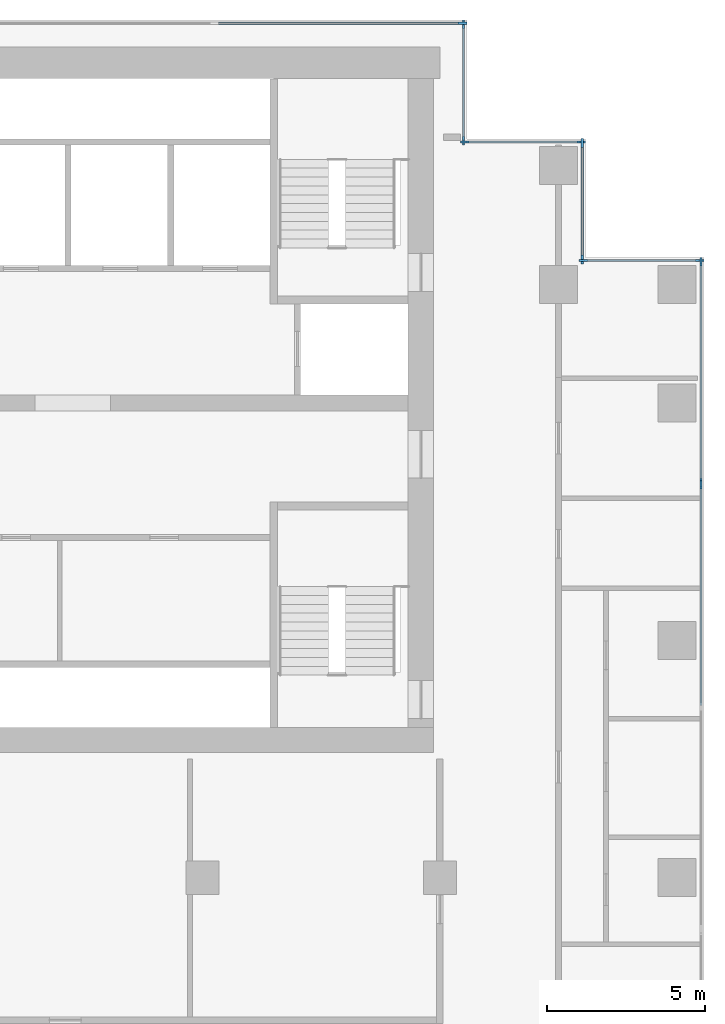
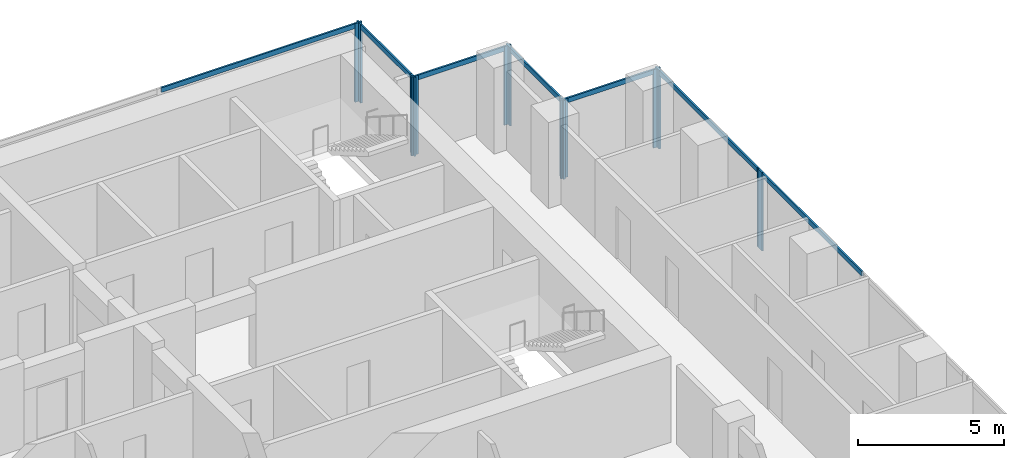
# One storey, part 5 of 10: 19 members, 7 elements without a shape of their own.
"""IFC4 building model written with IfcOpenShell, lengths in metres."""

from ifc_helpers import new_model, si_unit, direction, frame, origin, origin_2d, place, context, subcontext, project, spatial, rectangle, extrude, material, material_profile, profile_set, type_object, element, aggregate, save


model = new_model("IFC4")

# Units and contexts
model_context = context("Model", 3, precision=1e-05, world=origin(), true_north=direction((0.0, 1.0)))
body_context = subcontext(model_context, "Body", "Model", "MODEL_VIEW")
ifc_project = project(units=[si_unit("LENGTHUNIT", "METRE"), si_unit("AREAUNIT", "SQUARE_METRE"), si_unit("VOLUMEUNIT", "CUBIC_METRE"), si_unit("PLANEANGLEUNIT", "RADIAN"), si_unit("MASSUNIT", "GRAM", prefix="KILO")], contexts=[model_context])

# Site, building, storey
site_placement = place(None, origin())
site = spatial("IfcSite", under=ifc_project, at=site_placement, CompositionType="ELEMENT")
building_placement = place(site_placement, origin())
building = spatial("IfcBuilding", under=site, at=building_placement, Name="Pilkhan Gate Tower", CompositionType="ELEMENT")
storey_placement = place(building_placement, frame((0.0, 0.0, 158.5)))
storey = spatial("IfcBuildingStorey", under=building, at=storey_placement, Name="L40", CompositionType="ELEMENT", Elevation=158.5)

# Curtain wall, member
ifc_material_1 = material(Name="Pale anodised aluminium, clear low-iron double glazing", Category="aluminium")
curtain_wall_type = type_object("IfcCurtainWallType", Name="Office unitised curtain wall CW-O1", PredefinedType="USERDEFINED", material=ifc_material_1)
curtain_wall_1_placement = place(storey_placement, origin())
curtain_wall_1 = element("IfcCurtainWall", 1, at=curtain_wall_1_placement, inside=storey, type_object=curtain_wall_type, Name="Office unitised curtain wall CW-O1 L40 E", ObjectType="UNITISED CURTAIN WALL", PredefinedType="USERDEFINED")
ifc_material_2 = material(Name="Pale anodised aluminium", Category="aluminium")
ifc_material_profile_1 = material_profile(ifc_material_2, rectangle(XDim=0.070068359375, YDim=0.27490234375, at=origin_2d()), Name="Mullion 275x70")
ifc_profile_set_1 = profile_set([ifc_material_profile_1], Name="Pale anodised aluminium")
member_type_1 = type_object("IfcMemberType", Name="Mullion CW-O1 275x70", PredefinedType="MULLION", material=ifc_profile_set_1)
member_1_placement = place(storey_placement, frame((98.25, 79.9150390625, 0.0), z_axis=(0.0, 0.0, 1.0), x_axis=(-1.0, 0.0, 0.0)))
member_1 = element("IfcMember", 2, at=member_1_placement, type_object=member_type_1, Name="CW-O1 mullion 3", PredefinedType="MULLION", context=body_context, shape_type="SweptSolid", body=[
    extrude(rectangle(XDim=0.070068359375, YDim=0.27490234375, at=origin_2d()), origin(), (0.0, 0.0, 1.0), 3.300048828125),
])

# Curtain wall, members
curtain_wall_2_placement = place(storey_placement, origin())
curtain_wall_2 = element("IfcCurtainWall", 3, at=curtain_wall_2_placement, inside=storey, type_object=curtain_wall_type, Name="Office unitised curtain wall CW-O1 L40 E", ObjectType="UNITISED CURTAIN WALL", PredefinedType="USERDEFINED")
member_2_placement = place(storey_placement, frame((98.25, 79.985107421875, 0.0), z_axis=(0.0, 0.0, 1.0), x_axis=(-1.0, 0.0, 0.0)))
member_2 = element("IfcMember", 4, at=member_2_placement, type_object=member_type_1, Name="CW-O1 mullion 1", PredefinedType="MULLION", context=body_context, shape_type="SweptSolid", body=[
    extrude(rectangle(XDim=0.070068359375, YDim=0.27490234375, at=origin_2d()), origin(), (0.0, 0.0, 1.0), 3.300048828125),
])
member_3_placement = place(storey_placement, frame((98.25, 86.965087890625, 0.0), z_axis=(0.0, 0.0, 1.0), x_axis=(-1.0, 0.0, 0.0)))
member_3 = element("IfcMember", 5, at=member_3_placement, type_object=member_type_1, Name="CW-O1 mullion 2", PredefinedType="MULLION", context=body_context, shape_type="SweptSolid", body=[
    extrude(rectangle(XDim=0.070068359375, YDim=0.27490234375, at=origin_2d()), origin(), (0.0, 0.0, 1.0), 3.300048828125),
])

curtain_wall_3_placement = place(storey_placement, origin())
curtain_wall_3 = element("IfcCurtainWall", 6, at=curtain_wall_3_placement, inside=storey, type_object=curtain_wall_type, Name="Office unitised curtain wall CW-O1 L40 N", ObjectType="UNITISED CURTAIN WALL", PredefinedType="USERDEFINED")
member_4_placement = place(storey_placement, frame((94.534912109375, 87.0, 0.0), z_axis=(0.0, 0.0, 1.0), x_axis=(0.0, 1.0, 0.0)))
member_4 = element("IfcMember", 7, at=member_4_placement, type_object=member_type_1, Name="CW-O1 mullion 1", PredefinedType="MULLION", context=body_context, shape_type="SweptSolid", body=[
    extrude(rectangle(XDim=0.070068359375, YDim=0.27490234375, at=origin_2d()), origin(), (0.0, 0.0, 1.0), 3.300048828125),
])
member_5_placement = place(storey_placement, frame((98.215087890625, 87.0, 0.0), z_axis=(0.0, 0.0, 1.0), x_axis=(0.0, 1.0, 0.0)))
member_5 = element("IfcMember", 8, at=member_5_placement, type_object=member_type_1, Name="CW-O1 mullion 2", PredefinedType="MULLION", context=body_context, shape_type="SweptSolid", body=[
    extrude(rectangle(XDim=0.070068359375, YDim=0.27490234375, at=origin_2d()), origin(), (0.0, 0.0, 1.0), 3.300048828125),
])

curtain_wall_4_placement = place(storey_placement, origin())
curtain_wall_4 = element("IfcCurtainWall", 9, at=curtain_wall_4_placement, inside=storey, type_object=curtain_wall_type, Name="Office unitised curtain wall CW-O1 L40 E", ObjectType="UNITISED CURTAIN WALL", PredefinedType="USERDEFINED")
member_6_placement = place(storey_placement, frame((94.5, 87.034912109375, 0.0), z_axis=(0.0, 0.0, 1.0), x_axis=(-1.0, 0.0, 0.0)))
member_6 = element("IfcMember", 10, at=member_6_placement, type_object=member_type_1, Name="CW-O1 mullion 1", PredefinedType="MULLION", context=body_context, shape_type="SweptSolid", body=[
    extrude(rectangle(XDim=0.070068359375, YDim=0.27490234375, at=origin_2d()), origin(), (0.0, 0.0, 1.0), 3.300048828125),
])
member_7_placement = place(storey_placement, frame((94.5, 90.715087890625, 0.0), z_axis=(0.0, 0.0, 1.0), x_axis=(-1.0, 0.0, 0.0)))
member_7 = element("IfcMember", 11, at=member_7_placement, type_object=member_type_1, Name="CW-O1 mullion 2", PredefinedType="MULLION", context=body_context, shape_type="SweptSolid", body=[
    extrude(rectangle(XDim=0.070068359375, YDim=0.27490234375, at=origin_2d()), origin(), (0.0, 0.0, 1.0), 3.300048828125),
])

curtain_wall_5_placement = place(storey_placement, origin())
curtain_wall_5 = element("IfcCurtainWall", 12, at=curtain_wall_5_placement, inside=storey, type_object=curtain_wall_type, Name="Office unitised curtain wall CW-O1 L40 N", ObjectType="UNITISED CURTAIN WALL", PredefinedType="USERDEFINED")
member_8_placement = place(storey_placement, frame((90.784912109375, 90.75, 0.0), z_axis=(0.0, 0.0, 1.0), x_axis=(0.0, 1.0, 0.0)))
member_8 = element("IfcMember", 13, at=member_8_placement, type_object=member_type_1, Name="CW-O1 mullion 1", PredefinedType="MULLION", context=body_context, shape_type="SweptSolid", body=[
    extrude(rectangle(XDim=0.070068359375, YDim=0.27490234375, at=origin_2d()), origin(), (0.0, 0.0, 1.0), 3.300048828125),
])
member_9_placement = place(storey_placement, frame((94.465087890625, 90.75, 0.0), z_axis=(0.0, 0.0, 1.0), x_axis=(0.0, 1.0, 0.0)))
member_9 = element("IfcMember", 14, at=member_9_placement, type_object=member_type_1, Name="CW-O1 mullion 2", PredefinedType="MULLION", context=body_context, shape_type="SweptSolid", body=[
    extrude(rectangle(XDim=0.070068359375, YDim=0.27490234375, at=origin_2d()), origin(), (0.0, 0.0, 1.0), 3.300048828125),
])

curtain_wall_6_placement = place(storey_placement, origin())
curtain_wall_6 = element("IfcCurtainWall", 15, at=curtain_wall_6_placement, inside=storey, type_object=curtain_wall_type, Name="Office unitised curtain wall CW-O1 L40 E", ObjectType="UNITISED CURTAIN WALL", PredefinedType="USERDEFINED")
member_10_placement = place(storey_placement, frame((90.75, 90.784912109375, 0.0), z_axis=(0.0, 0.0, 1.0), x_axis=(-1.0, 0.0, 0.0)))
member_10 = element("IfcMember", 16, at=member_10_placement, type_object=member_type_1, Name="CW-O1 mullion 1", PredefinedType="MULLION", context=body_context, shape_type="SweptSolid", body=[
    extrude(rectangle(XDim=0.070068359375, YDim=0.27490234375, at=origin_2d()), origin(), (0.0, 0.0, 1.0), 3.300048828125),
])
member_11_placement = place(storey_placement, frame((90.75, 94.465087890625, 0.0), z_axis=(0.0, 0.0, 1.0), x_axis=(-1.0, 0.0, 0.0)))
member_11 = element("IfcMember", 17, at=member_11_placement, type_object=member_type_1, Name="CW-O1 mullion 2", PredefinedType="MULLION", context=body_context, shape_type="SweptSolid", body=[
    extrude(rectangle(XDim=0.070068359375, YDim=0.27490234375, at=origin_2d()), origin(), (0.0, 0.0, 1.0), 3.300048828125),
])

# Curtain wall, member
curtain_wall_7_placement = place(storey_placement, origin())
curtain_wall_7 = element("IfcCurtainWall", 18, at=curtain_wall_7_placement, inside=storey, type_object=curtain_wall_type, Name="Office unitised curtain wall CW-O1 L40 N", ObjectType="UNITISED CURTAIN WALL", PredefinedType="USERDEFINED")
member_12_placement = place(storey_placement, frame((90.715087890625, 94.5, 0.0), z_axis=(0.0, 0.0, 1.0), x_axis=(0.0, 1.0, 0.0)))
member_12 = element("IfcMember", 19, at=member_12_placement, type_object=member_type_1, Name="CW-O1 mullion 3", PredefinedType="MULLION", context=body_context, shape_type="SweptSolid", body=[
    extrude(rectangle(XDim=0.070068359375, YDim=0.27490234375, at=origin_2d()), origin(), (0.0, 0.0, 1.0), 3.300048828125),
])

# Member
ifc_material_profile_2 = material_profile(ifc_material_2, rectangle(XDim=0.070068359375, YDim=0.199951171875, at=origin_2d()), Name="Transom 200x70")
ifc_profile_set_2 = profile_set([ifc_material_profile_2], Name="Pale anodised aluminium")
member_type_2 = type_object("IfcMemberType", Name="Transom CW-O1 200x70", PredefinedType="USERDEFINED", material=ifc_profile_set_2)
member_13_placement = place(storey_placement, frame((98.25, 72.93505859375, 3.199951171875), z_axis=(0.0, 1.0, 0.0), x_axis=(-1.0, 0.0, 0.0)))
member_13 = element("IfcMember", 20, at=member_13_placement, type_object=member_type_2, Name="CW-O1 transom 2", ObjectType="TRANSOM", PredefinedType="USERDEFINED", context=body_context, shape_type="SweptSolid", body=[
    extrude(rectangle(XDim=0.070068359375, YDim=0.199951171875, at=origin_2d()), origin(), (0.0, 0.0, 1.0), 6.94482421875),
])

aggregate(curtain_wall_1, [member_1, member_13])

member_14_placement = place(storey_placement, frame((98.25, 80.02001953125, 3.199951171875), z_axis=(0.0, 1.0, 0.0), x_axis=(-1.0, 0.0, 0.0)))
member_14 = element("IfcMember", 21, at=member_14_placement, type_object=member_type_2, Name="CW-O1 transom 1", ObjectType="TRANSOM", PredefinedType="USERDEFINED", context=body_context, shape_type="SweptSolid", body=[
    extrude(rectangle(XDim=0.070068359375, YDim=0.199951171875, at=origin_2d()), origin(), (0.0, 0.0, 1.0), 6.909912109375),
])

aggregate(curtain_wall_2, [member_2, member_3, member_14])

member_15_placement = place(storey_placement, frame((94.570068359375, 87.0, 3.199951171875), z_axis=(1.0, 0.0, 0.0), x_axis=(0.0, 1.0, 0.0)))
member_15 = element("IfcMember", 22, at=member_15_placement, type_object=member_type_2, Name="CW-O1 transom 1", ObjectType="TRANSOM", PredefinedType="USERDEFINED", context=body_context, shape_type="SweptSolid", body=[
    extrude(rectangle(XDim=0.070068359375, YDim=0.199951171875, at=origin_2d()), origin(), (0.0, 0.0, 1.0), 3.60986328125),
])

aggregate(curtain_wall_3, [member_4, member_5, member_15])

member_16_placement = place(storey_placement, frame((94.5, 87.070068359375, 3.199951171875), z_axis=(0.0, 1.0, 0.0), x_axis=(-1.0, 0.0, 0.0)))
member_16 = element("IfcMember", 23, at=member_16_placement, type_object=member_type_2, Name="CW-O1 transom 1", ObjectType="TRANSOM", PredefinedType="USERDEFINED", context=body_context, shape_type="SweptSolid", body=[
    extrude(rectangle(XDim=0.070068359375, YDim=0.199951171875, at=origin_2d()), origin(), (0.0, 0.0, 1.0), 3.60986328125),
])

aggregate(curtain_wall_4, [member_6, member_7, member_16])

member_17_placement = place(storey_placement, frame((90.820068359375, 90.75, 3.199951171875), z_axis=(1.0, 0.0, 0.0), x_axis=(0.0, 1.0, 0.0)))
member_17 = element("IfcMember", 24, at=member_17_placement, type_object=member_type_2, Name="CW-O1 transom 1", ObjectType="TRANSOM", PredefinedType="USERDEFINED", context=body_context, shape_type="SweptSolid", body=[
    extrude(rectangle(XDim=0.070068359375, YDim=0.199951171875, at=origin_2d()), origin(), (0.0, 0.0, 1.0), 3.60986328125),
])

aggregate(curtain_wall_5, [member_8, member_9, member_17])

member_18_placement = place(storey_placement, frame((90.75, 90.820068359375, 3.199951171875), z_axis=(0.0, 1.0, 0.0), x_axis=(-1.0, 0.0, 0.0)))
member_18 = element("IfcMember", 25, at=member_18_placement, type_object=member_type_2, Name="CW-O1 transom 1", ObjectType="TRANSOM", PredefinedType="USERDEFINED", context=body_context, shape_type="SweptSolid", body=[
    extrude(rectangle(XDim=0.070068359375, YDim=0.199951171875, at=origin_2d()), origin(), (0.0, 0.0, 1.0), 3.60986328125),
])

aggregate(curtain_wall_6, [member_10, member_11, member_18])

member_19_placement = place(storey_placement, frame((82.909912109375, 94.5, 3.199951171875), z_axis=(1.0, 0.0, 0.0), x_axis=(0.0, 1.0, 0.0)))
member_19 = element("IfcMember", 26, at=member_19_placement, type_object=member_type_2, Name="CW-O1 transom 2", ObjectType="TRANSOM", PredefinedType="USERDEFINED", context=body_context, shape_type="SweptSolid", body=[
    extrude(rectangle(XDim=0.070068359375, YDim=0.199951171875, at=origin_2d()), origin(), (0.0, 0.0, 1.0), 7.77001953125),
])

aggregate(curtain_wall_7, [member_12, member_19])

save(model, "model.ifc")
